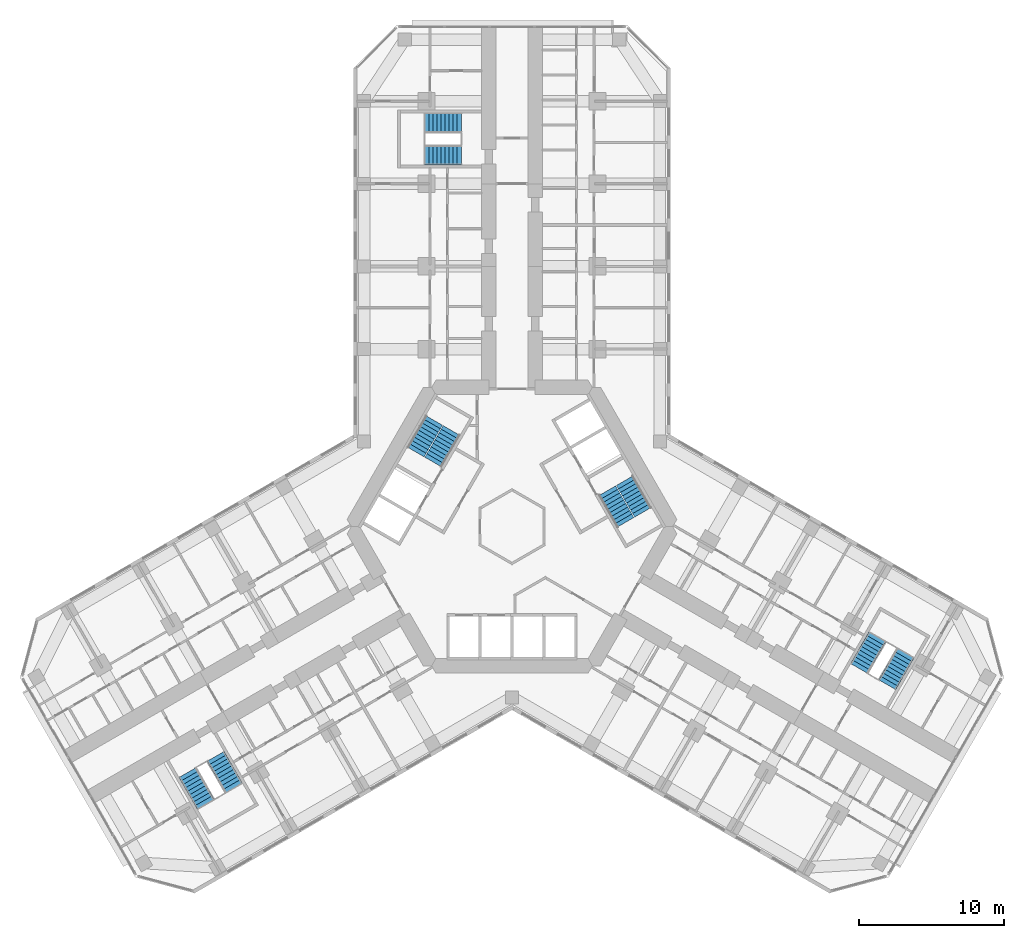
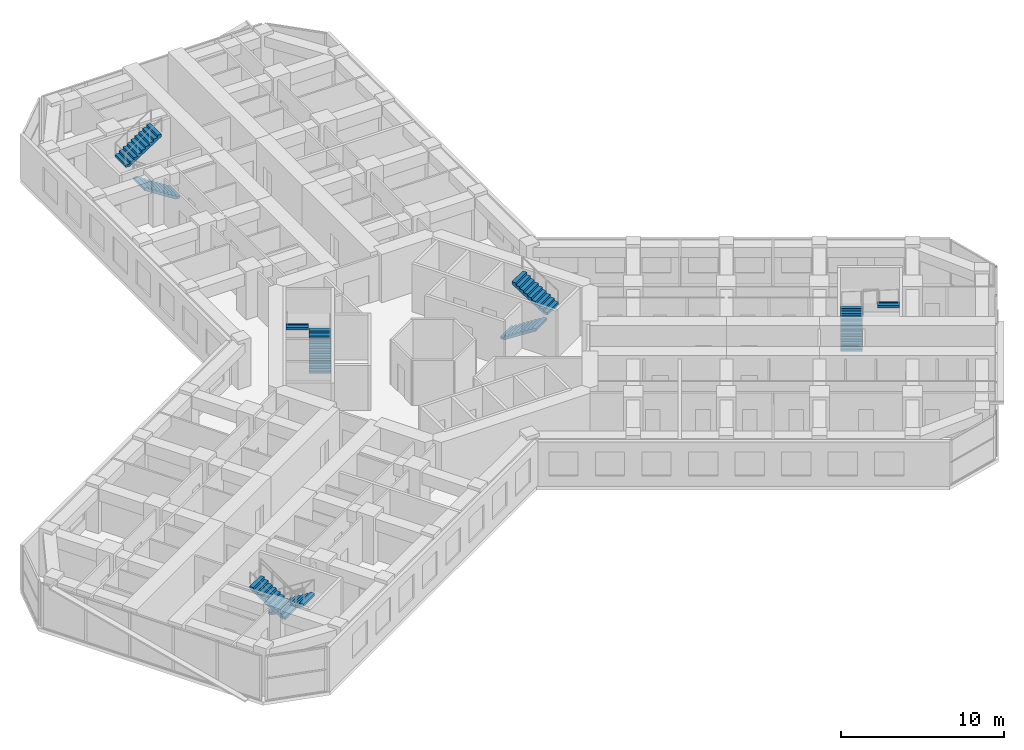
# One storey, part 20 of 21: 10 stair flights, 5 elements without a shape of their own.
"""IFC4 building model written with IfcOpenShell, lengths in metres."""

from ifc_helpers import new_model, si_unit, direction, frame, origin, place, context, subcontext, project, spatial, polyline, outline, extrude, material, type_object, element, aggregate, save


model = new_model("IFC4")

# Units and contexts
model_context = context("Model", 3, precision=1e-05, world=origin(), true_north=direction((0.0, 1.0)))
body_context = subcontext(model_context, "Body", "Model", "MODEL_VIEW")
ifc_project = project(units=[si_unit("LENGTHUNIT", "METRE"), si_unit("AREAUNIT", "SQUARE_METRE"), si_unit("VOLUMEUNIT", "CUBIC_METRE"), si_unit("PLANEANGLEUNIT", "RADIAN"), si_unit("MASSUNIT", "GRAM", prefix="KILO")], contexts=[model_context])

# Site, building, storey
site_placement = place(None, origin())
site = spatial("IfcSite", under=ifc_project, at=site_placement, CompositionType="ELEMENT")
building_placement = place(site_placement, origin())
building = spatial("IfcBuilding", under=site, at=building_placement, Name="Kosmar Iwan School Tower", CompositionType="ELEMENT")
storey_placement = place(building_placement, frame((0.0, 0.0, 88.0)))
storey = spatial("IfcBuildingStorey", under=building, at=storey_placement, Name="L21", CompositionType="ELEMENT", Elevation=88.0)

# Stair, stair flights
ifc_material_1 = material(Name="Concrete C35/45", Category="concrete")
stair_type_1 = type_object("IfcStairType", Name="Escape stair 3600", PredefinedType="HALF_TURN_STAIR", material=ifc_material_1)
stair_1_placement = place(storey_placement, origin())
stair_1 = element("IfcStair", 1, at=stair_1_placement, inside=storey, type_object=stair_type_1, Name="Stair WS1 L21", PredefinedType="HALF_TURN_STAIR")
ifc_material_2 = material(Name="Concrete C35/45", Category="concrete")
stair_flight_type_1 = type_object("IfcStairFlightType", Name="Escape stair flight 1350", PredefinedType="STRAIGHT", material=ifc_material_2)
stair_flight_1_placement = place(storey_placement, frame((-3.5, 25.625, 0.0), z_axis=(0.0, 0.0, 1.0), x_axis=(-1.0, 0.0, 0.0)))
stair_flight_1 = element("IfcStairFlight", 2, at=stair_flight_1_placement, type_object=stair_flight_type_1, Name="WS1 flight 1", NumberOfRisers=10, NumberOfTreads=9, PredefinedType="STRAIGHT", RiserHeight=0.18, TreadLength=0.28, context=body_context, shape_type="SweptSolid", body=[
    extrude(outline(polyline([(0.0, 0.0), (0.0, 0.179931640625), (0.280029296875, 0.179931640625), (0.280029296875, 0.360107421875), (0.56005859375, 0.360107421875), (0.56005859375, 0.5400390625), (0.840087890625, 0.5400390625), (0.840087890625, 0.719970703125), (1.1201171875, 0.719970703125), (1.1201171875, 0.89990234375), (1.39990234375, 0.89990234375), (1.39990234375, 1.080078125), (1.679931640625, 1.080078125), (1.679931640625, 1.260009765625), (1.9599609375, 1.260009765625), (1.9599609375, 1.43994140625), (2.239990234375, 1.43994140625), (2.239990234375, 1.6201171875), (2.52001953125, 1.6201171875), (2.52001953125, 1.800048828125), (2.52001953125, 1.44189453125), (0.277099609375, 0.0), (0.0, 0.0)])), frame((0.0, 0.675048828125, 0.0), z_axis=(0.0, -1.0, 0.0), x_axis=(1.0, 0.0, 0.0)), (0.0, 0.0, 1.0), 1.35009765625),
])
stair_flight_2_placement = place(storey_placement, frame((-6.02001953125, 27.875, 1.800048828125), z_axis=(0.0, 0.0, 1.0), x_axis=(1.0, 0.0, 0.0)))
stair_flight_2 = element("IfcStairFlight", 3, at=stair_flight_2_placement, type_object=stair_flight_type_1, Name="WS1 flight 2", NumberOfRisers=10, NumberOfTreads=9, PredefinedType="STRAIGHT", RiserHeight=0.18, TreadLength=0.28, context=body_context, shape_type="SweptSolid", body=[
    extrude(outline(polyline([(0.0, 0.0), (0.0, 0.179931640625), (0.280029296875, 0.179931640625), (0.280029296875, 0.360107421875), (0.56005859375, 0.360107421875), (0.56005859375, 0.5400390625), (0.840087890625, 0.5400390625), (0.840087890625, 0.719970703125), (1.1201171875, 0.719970703125), (1.1201171875, 0.89990234375), (1.39990234375, 0.89990234375), (1.39990234375, 1.080078125), (1.679931640625, 1.080078125), (1.679931640625, 1.260009765625), (1.9599609375, 1.260009765625), (1.9599609375, 1.43994140625), (2.239990234375, 1.43994140625), (2.239990234375, 1.6201171875), (2.52001953125, 1.6201171875), (2.52001953125, 1.800048828125), (2.52001953125, 1.44189453125), (0.277099609375, 0.0), (0.0, 0.0)])), frame((0.0, 0.675048828125, 0.0), z_axis=(0.0, -1.0, 0.0), x_axis=(1.0, 0.0, 0.0)), (0.0, 0.0, 1.0), 1.35009765625),
])
aggregate(stair_1, [stair_flight_1, stair_flight_2])

stair_2_placement = place(storey_placement, origin())
stair_2 = element("IfcStair", 4, at=stair_2_placement, inside=storey, type_object=stair_type_1, Name="Stair WS2 L21", PredefinedType="HALF_TURN_STAIR")
stair_flight_3_placement = place(storey_placement, frame((-20.44189453125, -15.843505859375, 0.0), z_axis=(0.0, 0.0, 1.0), x_axis=(0.5, -0.866025403784, 0.0)))
stair_flight_3 = element("IfcStairFlight", 5, at=stair_flight_3_placement, type_object=stair_flight_type_1, Name="WS2 flight 1", NumberOfRisers=10, NumberOfTreads=9, PredefinedType="STRAIGHT", RiserHeight=0.18, TreadLength=0.28, context=body_context, shape_type="SweptSolid", body=[
    extrude(outline(polyline([(0.0, 0.0), (0.0, 0.179931640625), (0.280029296875, 0.179931640625), (0.280029296875, 0.360107421875), (0.56005859375, 0.360107421875), (0.56005859375, 0.5400390625), (0.840087890625, 0.5400390625), (0.840087890625, 0.719970703125), (1.1201171875, 0.719970703125), (1.1201171875, 0.89990234375), (1.39990234375, 0.89990234375), (1.39990234375, 1.080078125), (1.679931640625, 1.080078125), (1.679931640625, 1.260009765625), (1.9599609375, 1.260009765625), (1.9599609375, 1.43994140625), (2.239990234375, 1.43994140625), (2.239990234375, 1.6201171875), (2.52001953125, 1.6201171875), (2.52001953125, 1.800048828125), (2.52001953125, 1.44189453125), (0.277099609375, 0.0), (0.0, 0.0)])), frame((0.0, 0.675048828125, 0.0), z_axis=(0.0, -1.0, 0.0), x_axis=(1.0, 0.0, 0.0)), (0.0, 0.0, 1.0), 1.35009765625),
])
stair_flight_4_placement = place(storey_placement, frame((-21.13037109375, -19.15087890625, 1.800048828125), z_axis=(0.0, 0.0, 1.0), x_axis=(-0.5, 0.866025403784, 0.0)))
stair_flight_4 = element("IfcStairFlight", 6, at=stair_flight_4_placement, type_object=stair_flight_type_1, Name="WS2 flight 2", NumberOfRisers=10, NumberOfTreads=9, PredefinedType="STRAIGHT", RiserHeight=0.18, TreadLength=0.28, context=body_context, shape_type="SweptSolid", body=[
    extrude(outline(polyline([(0.0, 0.0), (0.0, 0.179931640625), (0.280029296875, 0.179931640625), (0.280029296875, 0.360107421875), (0.56005859375, 0.360107421875), (0.56005859375, 0.5400390625), (0.840087890625, 0.5400390625), (0.840087890625, 0.719970703125), (1.1201171875, 0.719970703125), (1.1201171875, 0.89990234375), (1.39990234375, 0.89990234375), (1.39990234375, 1.080078125), (1.679931640625, 1.080078125), (1.679931640625, 1.260009765625), (1.9599609375, 1.260009765625), (1.9599609375, 1.43994140625), (2.239990234375, 1.43994140625), (2.239990234375, 1.6201171875), (2.52001953125, 1.6201171875), (2.52001953125, 1.800048828125), (2.52001953125, 1.44189453125), (0.277099609375, 0.0), (0.0, 0.0)])), frame((0.0, 0.675048828125, 0.0), z_axis=(0.0, -1.0, 0.0), x_axis=(1.0, 0.0, 0.0)), (0.0, 0.0, 1.0), 1.35009765625),
])
aggregate(stair_2, [stair_flight_3, stair_flight_4])

stair_3_placement = place(storey_placement, origin())
stair_3 = element("IfcStair", 7, at=stair_3_placement, inside=storey, type_object=stair_type_1, Name="Stair WS3 L21", PredefinedType="HALF_TURN_STAIR")
stair_flight_5_placement = place(storey_placement, frame((23.94189453125, -9.781494140625, 0.0), z_axis=(0.0, 0.0, 1.0), x_axis=(0.5, 0.866025403784, 0.0)))
stair_flight_5 = element("IfcStairFlight", 8, at=stair_flight_5_placement, type_object=stair_flight_type_1, Name="WS3 flight 1", NumberOfRisers=10, NumberOfTreads=9, PredefinedType="STRAIGHT", RiserHeight=0.18, TreadLength=0.28, context=body_context, shape_type="SweptSolid", body=[
    extrude(outline(polyline([(0.0, 0.0), (0.0, 0.179931640625), (0.280029296875, 0.179931640625), (0.280029296875, 0.360107421875), (0.56005859375, 0.360107421875), (0.56005859375, 0.5400390625), (0.840087890625, 0.5400390625), (0.840087890625, 0.719970703125), (1.1201171875, 0.719970703125), (1.1201171875, 0.89990234375), (1.39990234375, 0.89990234375), (1.39990234375, 1.080078125), (1.679931640625, 1.080078125), (1.679931640625, 1.260009765625), (1.9599609375, 1.260009765625), (1.9599609375, 1.43994140625), (2.239990234375, 1.43994140625), (2.239990234375, 1.6201171875), (2.52001953125, 1.6201171875), (2.52001953125, 1.800048828125), (2.52001953125, 1.44189453125), (0.277099609375, 0.0), (0.0, 0.0)])), frame((0.0, 0.675048828125, 0.0), z_axis=(0.0, -1.0, 0.0), x_axis=(1.0, 0.0, 0.0)), (0.0, 0.0, 1.0), 1.35009765625),
])
stair_flight_6_placement = place(storey_placement, frame((27.150390625, -8.72412109375, 1.800048828125), z_axis=(0.0, 0.0, 1.0), x_axis=(-0.5, -0.866025403784, 0.0)))
stair_flight_6 = element("IfcStairFlight", 9, at=stair_flight_6_placement, type_object=stair_flight_type_1, Name="WS3 flight 2", NumberOfRisers=10, NumberOfTreads=9, PredefinedType="STRAIGHT", RiserHeight=0.18, TreadLength=0.28, context=body_context, shape_type="SweptSolid", body=[
    extrude(outline(polyline([(0.0, 0.0), (0.0, 0.179931640625), (0.280029296875, 0.179931640625), (0.280029296875, 0.360107421875), (0.56005859375, 0.360107421875), (0.56005859375, 0.5400390625), (0.840087890625, 0.5400390625), (0.840087890625, 0.719970703125), (1.1201171875, 0.719970703125), (1.1201171875, 0.89990234375), (1.39990234375, 0.89990234375), (1.39990234375, 1.080078125), (1.679931640625, 1.080078125), (1.679931640625, 1.260009765625), (1.9599609375, 1.260009765625), (1.9599609375, 1.43994140625), (2.239990234375, 1.43994140625), (2.239990234375, 1.6201171875), (2.52001953125, 1.6201171875), (2.52001953125, 1.800048828125), (2.52001953125, 1.44189453125), (0.277099609375, 0.0), (0.0, 0.0)])), frame((0.0, 0.675048828125, 0.0), z_axis=(0.0, -1.0, 0.0), x_axis=(1.0, 0.0, 0.0)), (0.0, 0.0, 1.0), 1.35009765625),
])
aggregate(stair_3, [stair_flight_5, stair_flight_6])

ifc_material_3 = material(Name="Concrete C35/45", Category="concrete")
stair_type_2 = type_object("IfcStairType", Name="Core stair 2750", PredefinedType="HALF_TURN_STAIR", material=ifc_material_3)
stair_4_placement = place(storey_placement, origin())
stair_4 = element("IfcStair", 10, at=stair_4_placement, inside=storey, type_object=stair_type_2, Name="Stair ST2 L21", PredefinedType="HALF_TURN_STAIR")
ifc_material_4 = material(Name="Concrete C35/45", Category="concrete")
stair_flight_type_2 = type_object("IfcStairFlightType", Name="Stair flight 1350", PredefinedType="STRAIGHT", material=ifc_material_4)
stair_flight_7_placement = place(storey_placement, frame((-5.42724609375, 4.44970703125, 0.0), z_axis=(0.0, 0.0, 1.0), x_axis=(0.5, 0.866025403784, 0.0)))
stair_flight_7 = element("IfcStairFlight", 11, at=stair_flight_7_placement, type_object=stair_flight_type_2, Name="ST2 flight 1", NumberOfRisers=10, NumberOfTreads=9, PredefinedType="STRAIGHT", RiserHeight=0.18, TreadLength=0.28, context=body_context, shape_type="SweptSolid", body=[
    extrude(outline(polyline([(0.0, 0.0), (0.0, 0.179931640625), (0.280029296875, 0.179931640625), (0.280029296875, 0.360107421875), (0.56005859375, 0.360107421875), (0.56005859375, 0.5400390625), (0.840087890625, 0.5400390625), (0.840087890625, 0.719970703125), (1.1201171875, 0.719970703125), (1.1201171875, 0.89990234375), (1.39990234375, 0.89990234375), (1.39990234375, 1.080078125), (1.679931640625, 1.080078125), (1.679931640625, 1.260009765625), (1.9599609375, 1.260009765625), (1.9599609375, 1.43994140625), (2.239990234375, 1.43994140625), (2.239990234375, 1.6201171875), (2.52001953125, 1.6201171875), (2.52001953125, 1.800048828125), (2.52001953125, 1.44189453125), (0.277099609375, 0.0), (0.0, 0.0)])), frame((0.0, 0.675048828125, 0.0), z_axis=(0.0, -1.0, 0.0), x_axis=(1.0, 0.0, 0.0)), (0.0, 0.0, 1.0), 1.35009765625),
])
stair_flight_8_placement = place(storey_placement, frame((-5.379638671875, 7.33203125, 1.800048828125), z_axis=(0.0, 0.0, 1.0), x_axis=(-0.5, -0.866025403784, 0.0)))
stair_flight_8 = element("IfcStairFlight", 12, at=stair_flight_8_placement, type_object=stair_flight_type_2, Name="ST2 flight 2", NumberOfRisers=10, NumberOfTreads=9, PredefinedType="STRAIGHT", RiserHeight=0.18, TreadLength=0.28, context=body_context, shape_type="SweptSolid", body=[
    extrude(outline(polyline([(0.0, 0.0), (0.0, 0.179931640625), (0.280029296875, 0.179931640625), (0.280029296875, 0.360107421875), (0.56005859375, 0.360107421875), (0.56005859375, 0.5400390625), (0.840087890625, 0.5400390625), (0.840087890625, 0.719970703125), (1.1201171875, 0.719970703125), (1.1201171875, 0.89990234375), (1.39990234375, 0.89990234375), (1.39990234375, 1.080078125), (1.679931640625, 1.080078125), (1.679931640625, 1.260009765625), (1.9599609375, 1.260009765625), (1.9599609375, 1.43994140625), (2.239990234375, 1.43994140625), (2.239990234375, 1.6201171875), (2.52001953125, 1.6201171875), (2.52001953125, 1.800048828125), (2.52001953125, 1.44189453125), (0.277099609375, 0.0), (0.0, 0.0)])), frame((0.0, 0.675048828125, 0.0), z_axis=(0.0, -1.0, 0.0), x_axis=(1.0, 0.0, 0.0)), (0.0, 0.0, 1.0), 1.35009765625),
])
aggregate(stair_4, [stair_flight_7, stair_flight_8])

stair_5_placement = place(storey_placement, origin())
stair_5 = element("IfcStair", 13, at=stair_5_placement, inside=storey, type_object=stair_type_2, Name="Stair ST1 L21", PredefinedType="HALF_TURN_STAIR")
stair_flight_9_placement = place(storey_placement, frame((6.567138671875, 2.475341796875, 0.0), z_axis=(0.0, 0.0, 1.0), x_axis=(0.5, -0.866025403784, 0.0)))
stair_flight_9 = element("IfcStairFlight", 14, at=stair_flight_9_placement, type_object=stair_flight_type_2, Name="ST1 flight 1", NumberOfRisers=10, NumberOfTreads=9, PredefinedType="STRAIGHT", RiserHeight=0.18, TreadLength=0.28, context=body_context, shape_type="SweptSolid", body=[
    extrude(outline(polyline([(0.0, 0.0), (0.0, 0.179931640625), (0.280029296875, 0.179931640625), (0.280029296875, 0.360107421875), (0.56005859375, 0.360107421875), (0.56005859375, 0.5400390625), (0.840087890625, 0.5400390625), (0.840087890625, 0.719970703125), (1.1201171875, 0.719970703125), (1.1201171875, 0.89990234375), (1.39990234375, 0.89990234375), (1.39990234375, 1.080078125), (1.679931640625, 1.080078125), (1.679931640625, 1.260009765625), (1.9599609375, 1.260009765625), (1.9599609375, 1.43994140625), (2.239990234375, 1.43994140625), (2.239990234375, 1.6201171875), (2.52001953125, 1.6201171875), (2.52001953125, 1.800048828125), (2.52001953125, 1.44189453125), (0.277099609375, 0.0), (0.0, 0.0)])), frame((0.0, 0.675048828125, 0.0), z_axis=(0.0, -1.0, 0.0), x_axis=(1.0, 0.0, 0.0)), (0.0, 0.0, 1.0), 1.35009765625),
])
stair_flight_10_placement = place(storey_placement, frame((9.03955078125, 0.992919921875, 1.800048828125), z_axis=(0.0, 0.0, 1.0), x_axis=(-0.5, 0.866025403784, 0.0)))
stair_flight_10 = element("IfcStairFlight", 15, at=stair_flight_10_placement, type_object=stair_flight_type_2, Name="ST1 flight 2", NumberOfRisers=10, NumberOfTreads=9, PredefinedType="STRAIGHT", RiserHeight=0.18, TreadLength=0.28, context=body_context, shape_type="SweptSolid", body=[
    extrude(outline(polyline([(0.0, 0.0), (0.0, 0.179931640625), (0.280029296875, 0.179931640625), (0.280029296875, 0.360107421875), (0.56005859375, 0.360107421875), (0.56005859375, 0.5400390625), (0.840087890625, 0.5400390625), (0.840087890625, 0.719970703125), (1.1201171875, 0.719970703125), (1.1201171875, 0.89990234375), (1.39990234375, 0.89990234375), (1.39990234375, 1.080078125), (1.679931640625, 1.080078125), (1.679931640625, 1.260009765625), (1.9599609375, 1.260009765625), (1.9599609375, 1.43994140625), (2.239990234375, 1.43994140625), (2.239990234375, 1.6201171875), (2.52001953125, 1.6201171875), (2.52001953125, 1.800048828125), (2.52001953125, 1.44189453125), (0.277099609375, 0.0), (0.0, 0.0)])), frame((0.0, 0.675048828125, 0.0), z_axis=(0.0, -1.0, 0.0), x_axis=(1.0, 0.0, 0.0)), (0.0, 0.0, 1.0), 1.35009765625),
])
aggregate(stair_5, [stair_flight_9, stair_flight_10])

save(model, "model.ifc")
